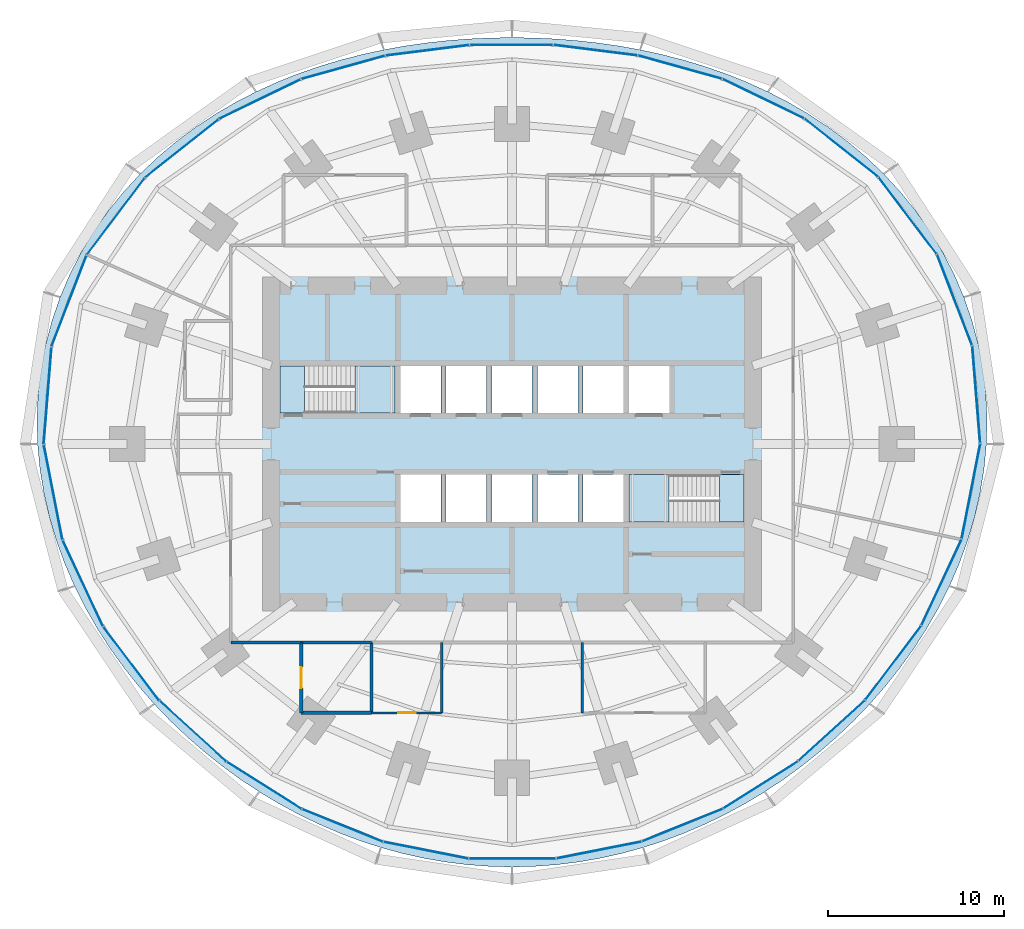
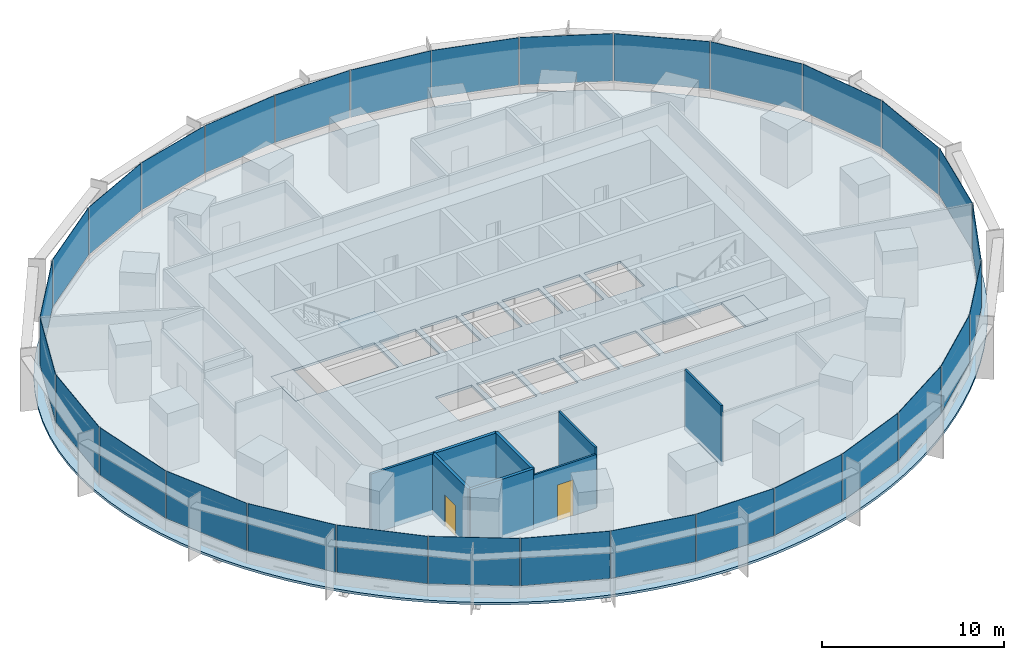
# One storey, part 10 of 15: 30 plates, 8 walls, 5 slabs, 2 doors, 2 openings, 8 elements without a shape of their own.
"""IFC4 building model written with IfcOpenShell, lengths in metres."""

from ifc_helpers import new_model, si_unit, direction, frame, frame_2d, origin, origin_2d, place, context, subcontext, project, spatial, polyline, rectangle, outline, extrude, material, layer, layer_set, type_object, element, fill, aggregate, save


model = new_model("IFC4")

# Units and contexts
model_context = context("Model", 3, precision=1e-05, world=origin(), true_north=direction((0.0, 1.0)))
body_context = subcontext(model_context, "Body", "Model", "MODEL_VIEW")
ifc_project = project(units=[si_unit("LENGTHUNIT", "METRE"), si_unit("AREAUNIT", "SQUARE_METRE"), si_unit("VOLUMEUNIT", "CUBIC_METRE"), si_unit("PLANEANGLEUNIT", "RADIAN"), si_unit("MASSUNIT", "GRAM", prefix="KILO")], contexts=[model_context])

# Site, building, storey
site_placement = place(None, origin())
site = spatial("IfcSite", under=ifc_project, at=site_placement, CompositionType="ELEMENT")
building_placement = place(site_placement, origin())
building = spatial("IfcBuilding", under=site, at=building_placement, Name="Marramba Exchange Tower", CompositionType="ELEMENT")
storey_placement = place(building_placement, frame((0.0, 0.0, 32.199951171875)))
storey = spatial("IfcBuildingStorey", under=building, at=storey_placement, Name="L07", CompositionType="ELEMENT", Elevation=32.199951171875)

# Slab
ifc_material_1 = material(Name="Concrete N40", Category="concrete")
ifc_layer_1 = layer(ifc_material_1, 0.159912109375)
ifc_layer_set_1 = layer_set([ifc_layer_1], Name="Composite floor slab 160")
slab_type_1 = type_object("IfcSlabType", Name="Composite floor slab 160", PredefinedType="FLOOR", material=ifc_layer_set_1)
slab_1_placement = place(storey_placement, frame((0.0, 0.0, -0.159912109375)))
element("IfcSlab", 1, at=slab_1_placement, inside=storey, type_object=slab_type_1, Name="Floor slab L07", PredefinedType="FLOOR", context=body_context, shape_type="SweptSolid", body=[
    extrude(outline(polyline([(27.0, 0.0), (27.035888671875, 1.4169921875), (26.97265625, 2.8349609375), (26.80859375, 4.24609375), (26.5439453125, 5.64208984375), (26.179443359375, 7.0146484375), (25.717529296875, 8.356201171875), (25.16162109375, 9.65869140625), (24.516357421875, 10.915283203125), (23.786865234375, 12.1201171875), (22.9794921875, 13.267333984375), (22.10107421875, 14.3525390625), (21.158447265625, 15.37255859375), (20.159423828125, 16.32470703125), (19.11083984375, 17.20751953125), (18.020263671875, 18.020263671875), (16.89453125, 18.763427734375), (15.740478515625, 19.437744140625), (14.563720703125, 20.04541015625), (13.3701171875, 20.588134765625), (12.164306640625, 21.069091796875), (10.9501953125, 21.4912109375), (9.7314453125, 21.857421875), (8.5107421875, 22.1708984375), (7.289794921875, 22.435302734375), (6.06982421875, 22.6533203125), (4.85205078125, 22.827392578125), (3.636474609375, 22.96044921875), (2.423095703125, 23.053955078125), (1.211181640625, 23.109619140625), (0.0, 23.1279296875), (-1.211181640625, 23.109619140625), (-2.423095703125, 23.053955078125), (-3.636474609375, 22.96044921875), (-4.85205078125, 22.827392578125), (-6.06982421875, 22.6533203125), (-7.289794921875, 22.435302734375), (-8.5107421875, 22.1708984375), (-9.7314453125, 21.857421875), (-10.9501953125, 21.4912109375), (-12.164306640625, 21.069091796875), (-13.3701171875, 20.588134765625), (-14.563720703125, 20.04541015625), (-15.740478515625, 19.437744140625), (-16.89453125, 18.763427734375), (-18.020263671875, 18.020263671875), (-19.11083984375, 17.20751953125), (-20.159423828125, 16.32470703125), (-21.158447265625, 15.37255859375), (-22.10107421875, 14.3525390625), (-22.9794921875, 13.267333984375), (-23.786865234375, 12.1201171875), (-24.516357421875, 10.915283203125), (-25.16162109375, 9.65869140625), (-25.717529296875, 8.356201171875), (-26.179443359375, 7.0146484375), (-26.5439453125, 5.64208984375), (-26.80859375, 4.24609375), (-26.97265625, 2.8349609375), (-27.035888671875, 1.4169921875), (-27.0, 0.0), (-26.8671875, -1.407958984375), (-26.64111328125, -2.800048828125), (-26.326171875, -4.169677734375), (-25.927001953125, -5.510986328125), (-25.44921875, -6.819091796875), (-24.8984375, -8.090087890625), (-24.280517578125, -9.320556640625), (-23.60107421875, -10.5078125), (-22.865234375, -11.650390625), (-22.078369140625, -12.7470703125), (-21.244873046875, -13.796630859375), (-20.36865234375, -14.798583984375), (-19.453369140625, -15.753173828125), (-18.502197265625, -16.659423828125), (-17.517578125, -17.517578125), (-16.501953125, -18.327392578125), (-15.457275390625, -19.088134765625), (-14.385009765625, -19.799072265625), (-13.286865234375, -20.459716796875), (-12.164306640625, -21.069091796875), (-11.01904296875, -21.6259765625), (-9.8525390625, -22.129150390625), (-8.66650390625, -22.577392578125), (-7.463134765625, -22.968994140625), (-6.244140625, -23.30322265625), (-5.01171875, -23.578369140625), (-3.7685546875, -23.793701171875), (-2.51708984375, -23.947998046875), (-1.260009765625, -24.041015625), (0.0, -24.072021484375), (1.260009765625, -24.041015625), (2.51708984375, -23.947998046875), (3.7685546875, -23.793701171875), (5.01171875, -23.578369140625), (6.244140625, -23.30322265625), (7.463134765625, -22.968994140625), (8.66650390625, -22.577392578125), (9.8525390625, -22.129150390625), (11.01904296875, -21.6259765625), (12.164306640625, -21.069091796875), (13.286865234375, -20.459716796875), (14.385009765625, -19.799072265625), (15.457275390625, -19.088134765625), (16.501953125, -18.327392578125), (17.517578125, -17.517578125), (18.502197265625, -16.659423828125), (19.453369140625, -15.753173828125), (20.36865234375, -14.798583984375), (21.244873046875, -13.796630859375), (22.078369140625, -12.7470703125), (22.865234375, -11.650390625), (23.60107421875, -10.5078125), (24.280517578125, -9.320556640625), (24.8984375, -8.090087890625), (25.44921875, -6.819091796875), (25.927001953125, -5.510986328125), (26.326171875, -4.169677734375), (26.64111328125, -2.800048828125), (26.8671875, -1.407958984375), (27.0, 0.0)]), holes=[polyline([(-6.35009765625, 1.75), (-4.050048828125, 1.75), (-4.050048828125, 4.449951171875), (-6.35009765625, 4.449951171875), (-6.35009765625, 1.75)]), polyline([(-3.75, 1.75), (-1.449951171875, 1.75), (-1.449951171875, 4.449951171875), (-3.75, 4.449951171875), (-3.75, 1.75)]), polyline([(-1.14990234375, 1.75), (1.14990234375, 1.75), (1.14990234375, 4.449951171875), (-1.14990234375, 4.449951171875), (-1.14990234375, 1.75)]), polyline([(1.449951171875, 1.75), (3.75, 1.75), (3.75, 4.449951171875), (1.449951171875, 4.449951171875), (1.449951171875, 1.75)]), polyline([(4.050048828125, 1.75), (6.35009765625, 1.75), (6.35009765625, 4.449951171875), (4.050048828125, 4.449951171875), (4.050048828125, 1.75)]), polyline([(-6.35009765625, -4.449951171875), (-4.050048828125, -4.449951171875), (-4.050048828125, -1.75), (-6.35009765625, -1.75), (-6.35009765625, -4.449951171875)]), polyline([(-3.75, -4.449951171875), (-1.449951171875, -4.449951171875), (-1.449951171875, -1.75), (-3.75, -1.75), (-3.75, -4.449951171875)]), polyline([(-1.14990234375, -4.449951171875), (1.14990234375, -4.449951171875), (1.14990234375, -1.75), (-1.14990234375, -1.75), (-1.14990234375, -4.449951171875)]), polyline([(1.449951171875, -4.449951171875), (3.75, -4.449951171875), (3.75, -1.75), (1.449951171875, -1.75), (1.449951171875, -4.449951171875)]), polyline([(4.050048828125, -4.449951171875), (6.35009765625, -4.449951171875), (6.35009765625, -1.75), (4.050048828125, -1.75), (4.050048828125, -4.449951171875)]), polyline([(6.64990234375, 1.75), (8.949951171875, 1.75), (8.949951171875, 4.449951171875), (6.64990234375, 4.449951171875), (6.64990234375, 1.75)]), polyline([(-13.199951171875, 1.75), (-6.64990234375, 1.75), (-6.64990234375, 4.449951171875), (-13.199951171875, 4.449951171875), (-13.199951171875, 1.75)]), polyline([(6.64990234375, -4.449951171875), (13.199951171875, -4.449951171875), (13.199951171875, -1.75), (6.64990234375, -1.75), (6.64990234375, -4.449951171875)])]), origin(), (0.0, 0.0, 1.0), 0.159912109375),
])

# Stair, slabs
ifc_material_2 = material(Name="Concrete N40 (40 MPa)", Category="concrete")
stair_type_1 = type_object("IfcStairType", Name="Exit stair ST1 4200 x 1250", PredefinedType="HALF_TURN_STAIR", material=ifc_material_2)
stair_1_placement = place(storey_placement, origin())
stair_1 = element("IfcStair", 2, at=stair_1_placement, inside=storey, type_object=stair_type_1, Name="Exit stair ST1 L07", PredefinedType="HALF_TURN_STAIR")
ifc_layer_2 = layer(ifc_material_2, 0.199951171875)
ifc_layer_set_2 = layer_set([ifc_layer_2], Name="Stair landing 200")
slab_type_2 = type_object("IfcSlabType", Name="Stair landing 200", PredefinedType="LANDING", material=ifc_layer_set_2)
slab_2_placement = place(storey_placement, frame((0.0, 0.0, -0.199951171875)))
slab_2 = element("IfcSlab", 3, at=slab_2_placement, type_object=slab_type_2, Name="ST1 landing 1", PredefinedType="LANDING", context=body_context, shape_type="SweptSolid", body=[
    extrude(outline(polyline([(-13.199951171875, 1.75), (-11.800048828125, 1.75), (-11.800048828125, 4.449951171875), (-13.199951171875, 4.449951171875), (-13.199951171875, 1.75)])), origin(), (0.0, 0.0, 1.0), 0.199951171875),
])
slab_3_placement = place(storey_placement, frame((0.0, 0.0, 1.900146484375)))
slab_3 = element("IfcSlab", 4, at=slab_3_placement, type_object=slab_type_2, Name="ST1 landing 2", PredefinedType="LANDING", context=body_context, shape_type="SweptSolid", body=[
    extrude(outline(polyline([(-8.93994140625, 1.75), (-6.64990234375, 1.75), (-6.64990234375, 4.449951171875), (-8.93994140625, 4.449951171875), (-8.93994140625, 1.75)])), origin(), (0.0, 0.0, 1.0), 0.199951171875),
])
aggregate(stair_1, [slab_2, slab_3])

stair_type_2 = type_object("IfcStairType", Name="Exit stair ST2 4200 x 1250", PredefinedType="HALF_TURN_STAIR", material=ifc_material_2)
stair_2_placement = place(storey_placement, origin())
stair_2 = element("IfcStair", 5, at=stair_2_placement, inside=storey, type_object=stair_type_2, Name="Exit stair ST2 L07", PredefinedType="HALF_TURN_STAIR")
slab_4_placement = place(storey_placement, frame((0.0, 0.0, -0.199951171875)))
slab_4 = element("IfcSlab", 6, at=slab_4_placement, type_object=slab_type_2, Name="ST2 landing 1", PredefinedType="LANDING", context=body_context, shape_type="SweptSolid", body=[
    extrude(outline(polyline([(11.800048828125, -4.449951171875), (13.199951171875, -4.449951171875), (13.199951171875, -1.75), (11.800048828125, -1.75), (11.800048828125, -4.449951171875)])), origin(), (0.0, 0.0, 1.0), 0.199951171875),
])
slab_5_placement = place(storey_placement, frame((0.0, 0.0, 1.900146484375)))
slab_5 = element("IfcSlab", 7, at=slab_5_placement, type_object=slab_type_2, Name="ST2 landing 2", PredefinedType="LANDING", context=body_context, shape_type="SweptSolid", body=[
    extrude(outline(polyline([(6.64990234375, -4.449951171875), (8.93994140625, -4.449951171875), (8.93994140625, -1.75), (6.64990234375, -1.75), (6.64990234375, -4.449951171875)])), origin(), (0.0, 0.0, 1.0), 0.199951171875),
])
aggregate(stair_2, [slab_4, slab_5])

# Curtain wall, plates
ifc_material_3 = material(Name="Aluminium framing, bronze anodised", Category="aluminium")
curtain_wall_type = type_object("IfcCurtainWallType", Name="Trading floor ribbon curtain wall", PredefinedType="USERDEFINED", material=ifc_material_3)
curtain_wall_1_placement = place(storey_placement, origin())
curtain_wall_1 = element("IfcCurtainWall", 8, at=curtain_wall_1_placement, inside=storey, type_object=curtain_wall_type, Name="Curtain wall CW3 L07 F01-F05", ObjectType="RIBBON CURTAIN WALL", PredefinedType="USERDEFINED")
ifc_material_4 = material(Name="Double glazed unit 10 + 12 + 8.76, bronze tinted", Category="glass")
ifc_layer_3 = layer(ifc_material_4, 0.03076171875)
ifc_layer_set_3 = layer_set([ifc_layer_3], Name="Trading floor ribbon curtain wall panel")
plate_type = type_object("IfcPlateType", Name="Trading floor ribbon curtain wall panel", PredefinedType="CURTAIN_PANEL", material=ifc_layer_set_3)
plate_1_placement = place(storey_placement, frame((26.42333984375, 2.814453125, 0.85986328125), z_axis=(0.0, 0.0, 1.0), x_axis=(-0.080275225953, 0.996772736434, 0.0)))
plate_1 = element("IfcPlate", 9, at=plate_1_placement, type_object=plate_type, Name="CW3 vision panel", PredefinedType="CURTAIN_PANEL", context=body_context, shape_type="SweptSolid", body=[
    extrude(rectangle(XDim=5.52734375, YDim=0.03076171875, at=origin_2d()), origin(), (0.0, 0.0, 1.0), 3.179931640625),
])
plate_2_placement = place(storey_placement, frame((25.188232421875, 8.19921875, 0.85986328125), z_axis=(0.0, 0.0, 1.0), x_axis=(-0.359525510698, 0.933135256626, 0.0)))
plate_2 = element("IfcPlate", 10, at=plate_2_placement, type_object=plate_type, Name="CW3 vision panel", PredefinedType="CURTAIN_PANEL", context=body_context, shape_type="SweptSolid", body=[
    extrude(rectangle(XDim=5.5166015625, YDim=0.03076171875, at=origin_2d()), origin(), (0.0, 0.0, 1.0), 3.179931640625),
])
plate_3_placement = place(storey_placement, frame((22.517822265625, 12.993896484375, 0.85986328125), z_axis=(0.0, 0.0, 1.0), x_axis=(-0.602989765036, 0.797748922445, 0.0)))
plate_3 = element("IfcPlate", 11, at=plate_3_placement, type_object=plate_type, Name="CW3 vision panel", PredefinedType="CURTAIN_PANEL", context=body_context, shape_type="SweptSolid", body=[
    extrude(rectangle(XDim=5.44775390625, YDim=0.03076171875, at=origin_2d()), origin(), (0.0, 0.0, 1.0), 3.179931640625),
])
plate_4_placement = place(storey_placement, frame((18.744384765625, 16.853759765625, 0.85986328125), z_axis=(0.0, 0.0, 1.0), x_axis=(-0.784087949432, 0.620649730166, 0.0)))
plate_4 = element("IfcPlate", 12, at=plate_4_placement, type_object=plate_type, Name="CW3 vision panel", PredefinedType="CURTAIN_PANEL", context=body_context, shape_type="SweptSolid", body=[
    extrude(rectangle(XDim=5.315673828125, YDim=0.03076171875, at=origin_2d()), origin(), (0.0, 0.0, 1.0), 3.179931640625),
])
plate_5_placement = place(storey_placement, frame((14.2978515625, 19.647705078125, 0.85986328125), z_axis=(0.0, 0.0, 1.0), x_axis=(-0.899963433508, 0.43596538664, 0.0)))
plate_5 = element("IfcPlate", 13, at=plate_5_placement, type_object=plate_type, Name="CW3 vision panel", PredefinedType="CURTAIN_PANEL", context=body_context, shape_type="SweptSolid", body=[
    extrude(rectangle(XDim=5.13037109375, YDim=0.03076171875, at=origin_2d()), origin(), (0.0, 0.0, 1.0), 3.179931640625),
])
aggregate(curtain_wall_1, [plate_1, plate_2, plate_3, plate_4, plate_5])

curtain_wall_2_placement = place(storey_placement, origin())
curtain_wall_2 = element("IfcCurtainWall", 14, at=curtain_wall_2_placement, inside=storey, type_object=curtain_wall_type, Name="Curtain wall CW3 L07 F06-F10", ObjectType="RIBBON CURTAIN WALL", PredefinedType="USERDEFINED")
plate_6_placement = place(storey_placement, frame((9.556396484375, 21.4423828125, 0.85986328125), z_axis=(0.0, 0.0, 1.0), x_axis=(-0.963472096649, 0.267808735815, 0.0)))
plate_6 = element("IfcPlate", 15, at=plate_6_placement, type_object=plate_type, Name="CW3 vision panel", PredefinedType="CURTAIN_PANEL", context=body_context, shape_type="SweptSolid", body=[
    extrude(rectangle(XDim=4.929931640625, YDim=0.03076171875, at=origin_2d()), origin(), (0.0, 0.0, 1.0), 3.179931640625),
])
plate_7_placement = place(storey_placement, frame((4.754150390625, 22.407958984375, 0.85986328125), z_axis=(0.0, 0.0, 1.0), x_axis=(-0.992172768738, 0.124872723099, 0.0)))
plate_7 = element("IfcPlate", 16, at=plate_7_placement, type_object=plate_type, Name="CW3 vision panel", PredefinedType="CURTAIN_PANEL", context=body_context, shape_type="SweptSolid", body=[
    extrude(rectangle(XDim=4.77294921875, YDim=0.03076171875, at=origin_2d()), origin(), (0.0, 0.0, 1.0), 3.179931640625),
])
plate_8_placement = place(storey_placement, frame((-0.030029296875, 22.7060546875, 0.85986328125), z_axis=(0.0, 0.0, 1.0), x_axis=(-1.0, 0.0, 0.0)))
plate_8 = element("IfcPlate", 17, at=plate_8_placement, type_object=plate_type, Name="CW3 vision panel", PredefinedType="CURTAIN_PANEL", context=body_context, shape_type="SweptSolid", body=[
    extrude(rectangle(XDim=4.712890625, YDim=0.03076171875, at=origin_2d()), origin(), (0.0, 0.0, 1.0), 3.179931640625),
])
plate_9_placement = place(storey_placement, frame((-4.813720703125, 22.400390625, 0.85986328125), z_axis=(0.0, 0.0, 1.0), x_axis=(-0.992172768738, -0.124872723099, 0.0)))
plate_9 = element("IfcPlate", 18, at=plate_9_placement, type_object=plate_type, Name="CW3 vision panel", PredefinedType="CURTAIN_PANEL", context=body_context, shape_type="SweptSolid", body=[
    extrude(rectangle(XDim=4.77294921875, YDim=0.03076171875, at=origin_2d()), origin(), (0.0, 0.0, 1.0), 3.179931640625),
])
plate_10_placement = place(storey_placement, frame((-9.6142578125, 21.42626953125, 0.85986328125), z_axis=(0.0, 0.0, 1.0), x_axis=(-0.963472096649, -0.267808735815, 0.0)))
plate_10 = element("IfcPlate", 19, at=plate_10_placement, type_object=plate_type, Name="CW3 vision panel", PredefinedType="CURTAIN_PANEL", context=body_context, shape_type="SweptSolid", body=[
    extrude(rectangle(XDim=4.929931640625, YDim=0.03076171875, at=origin_2d()), origin(), (0.0, 0.0, 1.0), 3.179931640625),
])
aggregate(curtain_wall_2, [plate_6, plate_7, plate_8, plate_9, plate_10])

curtain_wall_3_placement = place(storey_placement, origin())
curtain_wall_3 = element("IfcCurtainWall", 20, at=curtain_wall_3_placement, inside=storey, type_object=curtain_wall_type, Name="Curtain wall CW3 L07 F11-F15", ObjectType="RIBBON CURTAIN WALL", PredefinedType="USERDEFINED")
plate_11_placement = place(storey_placement, frame((-14.351806640625, 19.62158203125, 0.85986328125), z_axis=(0.0, 0.0, 1.0), x_axis=(-0.899963433508, -0.43596538664, 0.0)))
plate_11 = element("IfcPlate", 21, at=plate_11_placement, type_object=plate_type, Name="CW3 vision panel", PredefinedType="CURTAIN_PANEL", context=body_context, shape_type="SweptSolid", body=[
    extrude(rectangle(XDim=5.13037109375, YDim=0.03076171875, at=origin_2d()), origin(), (0.0, 0.0, 1.0), 3.179931640625),
])
plate_12_placement = place(storey_placement, frame((-18.79150390625, 16.81640625, 0.85986328125), z_axis=(0.0, 0.0, 1.0), x_axis=(-0.784087949432, -0.620649730166, 0.0)))
plate_12 = element("IfcPlate", 22, at=plate_12_placement, type_object=plate_type, Name="CW3 vision panel", PredefinedType="CURTAIN_PANEL", context=body_context, shape_type="SweptSolid", body=[
    extrude(rectangle(XDim=5.315673828125, YDim=0.03076171875, at=origin_2d()), origin(), (0.0, 0.0, 1.0), 3.179931640625),
])
plate_13_placement = place(storey_placement, frame((-22.553955078125, 12.946044921875, 0.85986328125), z_axis=(0.0, 0.0, 1.0), x_axis=(-0.602989765036, -0.797748922445, 0.0)))
plate_13 = element("IfcPlate", 23, at=plate_13_placement, type_object=plate_type, Name="CW3 vision panel", PredefinedType="CURTAIN_PANEL", context=body_context, shape_type="SweptSolid", body=[
    extrude(rectangle(XDim=5.44775390625, YDim=0.03076171875, at=origin_2d()), origin(), (0.0, 0.0, 1.0), 3.179931640625),
])
plate_14_placement = place(storey_placement, frame((-25.209716796875, 8.14306640625, 0.85986328125), z_axis=(0.0, 0.0, 1.0), x_axis=(-0.359525510698, -0.933135256626, 0.0)))
plate_14 = element("IfcPlate", 24, at=plate_14_placement, type_object=plate_type, Name="CW3 vision panel", PredefinedType="CURTAIN_PANEL", context=body_context, shape_type="SweptSolid", body=[
    extrude(rectangle(XDim=5.5166015625, YDim=0.03076171875, at=origin_2d()), origin(), (0.0, 0.0, 1.0), 3.179931640625),
])
plate_15_placement = place(storey_placement, frame((-26.42822265625, 2.754638671875, 0.85986328125), z_axis=(0.0, 0.0, 1.0), x_axis=(-0.080275225953, -0.996772736434, 0.0)))
plate_15 = element("IfcPlate", 25, at=plate_15_placement, type_object=plate_type, Name="CW3 vision panel", PredefinedType="CURTAIN_PANEL", context=body_context, shape_type="SweptSolid", body=[
    extrude(rectangle(XDim=5.52734375, YDim=0.03076171875, at=origin_2d()), origin(), (0.0, 0.0, 1.0), 3.179931640625),
])
aggregate(curtain_wall_3, [plate_11, plate_12, plate_13, plate_14, plate_15])

curtain_wall_4_placement = place(storey_placement, origin())
curtain_wall_4 = element("IfcCurtainWall", 26, at=curtain_wall_4_placement, inside=storey, type_object=curtain_wall_type, Name="Curtain wall CW3 L07 F16-F20", ObjectType="RIBBON CURTAIN WALL", PredefinedType="USERDEFINED")
plate_16_placement = place(storey_placement, frame((-26.111572265625, -2.74853515625, 0.85986328125), z_axis=(0.0, 0.0, 1.0), x_axis=(0.1922485756, -0.981346261612, 0.0)))
plate_16 = element("IfcPlate", 27, at=plate_16_placement, type_object=plate_type, Name="CW3 vision panel", PredefinedType="CURTAIN_PANEL", context=body_context, shape_type="SweptSolid", body=[
    extrude(rectangle(XDim=5.4814453125, YDim=0.03076171875, at=origin_2d()), origin(), (0.0, 0.0, 1.0), 3.179931640625),
])
plate_17_placement = place(storey_placement, frame((-24.420166015625, -7.928955078125, 0.85986328125), z_axis=(0.0, 0.0, 1.0), x_axis=(0.423477206492, -0.905906758768, 0.0)))
plate_17 = element("IfcPlate", 28, at=plate_17_placement, type_object=plate_type, Name="CW3 vision panel", PredefinedType="CURTAIN_PANEL", context=body_context, shape_type="SweptSolid", body=[
    extrude(rectangle(XDim=5.379150390625, YDim=0.03076171875, at=origin_2d()), origin(), (0.0, 0.0, 1.0), 3.179931640625),
])
plate_18_placement = place(storey_placement, frame((-21.665283203125, -12.503173828125, 0.85986328125), z_axis=(0.0, 0.0, 1.0), x_axis=(0.603040473588, -0.797710591138, 0.0)))
plate_18 = element("IfcPlate", 29, at=plate_18_placement, type_object=plate_type, Name="CW3 vision panel", PredefinedType="CURTAIN_PANEL", context=body_context, shape_type="SweptSolid", body=[
    extrude(rectangle(XDim=5.239501953125, YDim=0.03076171875, at=origin_2d()), origin(), (0.0, 0.0, 1.0), 3.179931640625),
])
plate_19_placement = place(storey_placement, frame((-18.154541015625, -16.350341796875, 0.85986328125), z_axis=(0.0, 0.0, 1.0), x_axis=(0.739589581463, -0.673058133441, 0.0)))
plate_19 = element("IfcPlate", 30, at=plate_19_placement, type_object=plate_type, Name="CW3 vision panel", PredefinedType="CURTAIN_PANEL", context=body_context, shape_type="SweptSolid", body=[
    extrude(rectangle(XDim=5.101806640625, YDim=0.03076171875, at=origin_2d()), origin(), (0.0, 0.0, 1.0), 3.179931640625),
])
plate_20_placement = place(storey_placement, frame((-14.103271484375, -19.4326171875, 0.85986328125), z_axis=(0.0, 0.0, 1.0), x_axis=(0.845790826298, -0.533514646612, 0.0)))
plate_20 = element("IfcPlate", 31, at=plate_20_placement, type_object=plate_type, Name="CW3 vision panel", PredefinedType="CURTAIN_PANEL", context=body_context, shape_type="SweptSolid", body=[
    extrude(rectangle(XDim=4.99853515625, YDim=0.03076171875, at=origin_2d()), origin(), (0.0, 0.0, 1.0), 3.179931640625),
])
aggregate(curtain_wall_4, [plate_16, plate_17, plate_18, plate_19, plate_20])

curtain_wall_5_placement = place(storey_placement, origin())
curtain_wall_5 = element("IfcCurtainWall", 32, at=curtain_wall_5_placement, inside=storey, type_object=curtain_wall_type, Name="Curtain wall CW3 L07 F21-F25", ObjectType="RIBBON CURTAIN WALL", PredefinedType="USERDEFINED")
plate_21_placement = place(storey_placement, frame((-9.644287109375, -21.71240234375, 0.85986328125), z_axis=(0.0, 0.0, 1.0), x_axis=(0.927340673283, -0.374218219325, 0.0)))
plate_21 = element("IfcPlate", 33, at=plate_21_placement, type_object=plate_type, Name="CW3 vision panel", PredefinedType="CURTAIN_PANEL", context=body_context, shape_type="SweptSolid", body=[
    extrude(rectangle(XDim=4.9375, YDim=0.03076171875, at=origin_2d()), origin(), (0.0, 0.0, 1.0), 3.179931640625),
])
plate_22_placement = place(storey_placement, frame((-4.88818359375, -23.1240234375, 0.85986328125), z_axis=(0.0, 0.0, 1.0), x_axis=(0.98100920064, -0.193961202977, 0.0)))
plate_22 = element("IfcPlate", 34, at=plate_22_placement, type_object=plate_type, Name="CW3 vision panel", PredefinedType="CURTAIN_PANEL", context=body_context, shape_type="SweptSolid", body=[
    extrude(rectangle(XDim=4.908935546875, YDim=0.03076171875, at=origin_2d()), origin(), (0.0, 0.0, 1.0), 3.179931640625),
])
plate_23_placement = place(storey_placement, frame((0.030029296875, -23.599853515625, 0.85986328125), z_axis=(0.0, 0.0, 1.0), x_axis=(1.0, 0.0, 0.0)))
plate_23 = element("IfcPlate", 35, at=plate_23_placement, type_object=plate_type, Name="CW3 vision panel", PredefinedType="CURTAIN_PANEL", context=body_context, shape_type="SweptSolid", body=[
    extrude(rectangle(XDim=4.90087890625, YDim=0.03076171875, at=origin_2d()), origin(), (0.0, 0.0, 1.0), 3.179931640625),
])
plate_24_placement = place(storey_placement, frame((4.947021484375, -23.1123046875, 0.85986328125), z_axis=(0.0, 0.0, 1.0), x_axis=(0.98100920064, 0.193961202977, 0.0)))
plate_24 = element("IfcPlate", 36, at=plate_24_placement, type_object=plate_type, Name="CW3 vision panel", PredefinedType="CURTAIN_PANEL", context=body_context, shape_type="SweptSolid", body=[
    extrude(rectangle(XDim=4.908935546875, YDim=0.03076171875, at=origin_2d()), origin(), (0.0, 0.0, 1.0), 3.179931640625),
])
plate_25_placement = place(storey_placement, frame((9.699951171875, -21.68994140625, 0.85986328125), z_axis=(0.0, 0.0, 1.0), x_axis=(0.927340673283, 0.374218219325, 0.0)))
plate_25 = element("IfcPlate", 37, at=plate_25_placement, type_object=plate_type, Name="CW3 vision panel", PredefinedType="CURTAIN_PANEL", context=body_context, shape_type="SweptSolid", body=[
    extrude(rectangle(XDim=4.9375, YDim=0.03076171875, at=origin_2d()), origin(), (0.0, 0.0, 1.0), 3.179931640625),
])
aggregate(curtain_wall_5, [plate_21, plate_22, plate_23, plate_24, plate_25])

curtain_wall_6_placement = place(storey_placement, origin())
curtain_wall_6 = element("IfcCurtainWall", 38, at=curtain_wall_6_placement, inside=storey, type_object=curtain_wall_type, Name="Curtain wall CW3 L07 F26-F30", ObjectType="RIBBON CURTAIN WALL", PredefinedType="USERDEFINED")
plate_26_placement = place(storey_placement, frame((14.15380859375, -19.400634765625, 0.85986328125), z_axis=(0.0, 0.0, 1.0), x_axis=(0.845790826298, 0.533514646612, 0.0)))
plate_26 = element("IfcPlate", 39, at=plate_26_placement, type_object=plate_type, Name="CW3 vision panel", PredefinedType="CURTAIN_PANEL", context=body_context, shape_type="SweptSolid", body=[
    extrude(rectangle(XDim=4.99853515625, YDim=0.03076171875, at=origin_2d()), origin(), (0.0, 0.0, 1.0), 3.179931640625),
])
plate_27_placement = place(storey_placement, frame((18.19873046875, -16.309814453125, 0.85986328125), z_axis=(0.0, 0.0, 1.0), x_axis=(0.739589581463, 0.673058133441, 0.0)))
plate_27 = element("IfcPlate", 40, at=plate_27_placement, type_object=plate_type, Name="CW3 vision panel", PredefinedType="CURTAIN_PANEL", context=body_context, shape_type="SweptSolid", body=[
    extrude(rectangle(XDim=5.101806640625, YDim=0.03076171875, at=origin_2d()), origin(), (0.0, 0.0, 1.0), 3.179931640625),
])
plate_28_placement = place(storey_placement, frame((21.701416015625, -12.455322265625, 0.85986328125), z_axis=(0.0, 0.0, 1.0), x_axis=(0.603040473588, 0.797710591138, 0.0)))
plate_28 = element("IfcPlate", 41, at=plate_28_placement, type_object=plate_type, Name="CW3 vision panel", PredefinedType="CURTAIN_PANEL", context=body_context, shape_type="SweptSolid", body=[
    extrude(rectangle(XDim=5.239501953125, YDim=0.03076171875, at=origin_2d()), origin(), (0.0, 0.0, 1.0), 3.179931640625),
])
plate_29_placement = place(storey_placement, frame((24.44580078125, -7.874755859375, 0.85986328125), z_axis=(0.0, 0.0, 1.0), x_axis=(0.423477206492, 0.905906758768, 0.0)))
plate_29 = element("IfcPlate", 42, at=plate_29_placement, type_object=plate_type, Name="CW3 vision panel", PredefinedType="CURTAIN_PANEL", context=body_context, shape_type="SweptSolid", body=[
    extrude(rectangle(XDim=5.379150390625, YDim=0.03076171875, at=origin_2d()), origin(), (0.0, 0.0, 1.0), 3.179931640625),
])
plate_30_placement = place(storey_placement, frame((26.123046875, -2.689697265625, 0.85986328125), z_axis=(0.0, 0.0, 1.0), x_axis=(0.1922485756, 0.981346261612, 0.0)))
plate_30 = element("IfcPlate", 43, at=plate_30_placement, type_object=plate_type, Name="CW3 vision panel", PredefinedType="CURTAIN_PANEL", context=body_context, shape_type="SweptSolid", body=[
    extrude(rectangle(XDim=5.4814453125, YDim=0.03076171875, at=origin_2d()), origin(), (0.0, 0.0, 1.0), 3.179931640625),
])
aggregate(curtain_wall_6, [plate_26, plate_27, plate_28, plate_29, plate_30])

# Wall, opening, door
ifc_material_5 = material(Name="Core-filled concrete blockwork, rendered", Category="masonry")
ifc_layer_4 = layer(ifc_material_5, 0.18994140625)
ifc_layer_set_4 = layer_set([ifc_layer_4], Name="Equipment room wall 190")
wall_type_1 = type_object("IfcWallType", Name="Equipment room wall 190", PredefinedType="SOLIDWALL", material=ifc_layer_set_4)
wall_1_placement = place(storey_placement, frame((-12.0, -11.300048828125, 0.0), z_axis=(0.0, 0.0, 1.0), x_axis=(0.0, -1.0, 0.0)))
wall_1 = element("IfcWall", 44, at=wall_1_placement, inside=storey, type_object=wall_type_1, Name="Equipment room wall L07 04", PredefinedType="SOLIDWALL", context=body_context, shape_type="SweptSolid", body=[
    extrude(rectangle(XDim=4.0, YDim=0.18994140625, at=frame_2d((2.0, 0.0))), origin(), (0.0, 0.0, 1.0), 4.0400390625),
])
opening_1_placement = place(wall_1_placement, frame((1.39990234375, 0.0, 0.0)))
opening_1 = element("IfcOpeningElement", 45, at=opening_1_placement, cuts=wall_1, Name="Opening D16", PredefinedType="OPENING", context=body_context, shape_type="SweptSolid", body=[
    extrude(rectangle(XDim=1.199951171875, YDim=2.10009765625, at=frame_2d((0.60009765625, 1.050048828125))), frame((0.0, 0.10498046875, 0.0), z_axis=(0.0, -1.0, 0.0), x_axis=(1.0, 0.0, 0.0)), (0.0, 0.0, 1.0), 0.2099609375),
])
ifc_material_6 = material(Name="Steel-framed door", Category="steel")
door_type_1 = type_object("IfcDoorType", Name="Equipment room door 1200x2100", OperationType="SINGLE_SWING_LEFT", PredefinedType="DOOR", material=ifc_material_6)
door_1_placement = place(opening_1_placement, origin())
door_1 = element("IfcDoor", 46, at=door_1_placement, inside=storey, type_object=door_type_1, Name="D16 Data Room 2 L07", OperationType="SINGLE_SWING_RIGHT", OverallHeight=2.10009765625, OverallWidth=1.199951171875, PredefinedType="DOOR", context=body_context, shape_type="SweptSolid", body=[
    extrude(rectangle(XDim=1.199951171875, YDim=2.10009765625, at=frame_2d((0.60009765625, 1.050048828125))), frame((0.0, 0.02490234375, 0.0), z_axis=(0.0, -1.0, 0.0), x_axis=(1.0, 0.0, 0.0)), (0.0, 0.0, 1.0), 0.050048828125),
])
fill(opening_1, door_1)

# Walls
for number, where, z_axis, x_axis, name in (
    (47, (-8.0, -11.300048828125, 0.0), (0.0, 0.0, 1.0), (-1.0, 0.0, 0.0), "Equipment room wall L07 05"),
    (48, (-12.0, -15.300048828125, 0.0), (0.0, 0.0, 1.0), (1.0, 0.0, 0.0), "Equipment room wall L07 06"),
    (49, (-8.0, -11.300048828125, 0.0), (0.0, 0.0, 1.0), (0.0, -1.0, 0.0), "Equipment room wall L07 07"),
):
    element("IfcWall", number, at=place(storey_placement, frame(where, z_axis=z_axis, x_axis=x_axis)), inside=storey, type_object=wall_type_1, Name=name, PredefinedType="SOLIDWALL", context=body_context, shape_type="SweptSolid", body=[
        extrude(rectangle(XDim=4.0, YDim=0.18994140625, at=frame_2d((2.0, 0.0))), origin(), (0.0, 0.0, 1.0), 4.0400390625),
    ])

# Wall, opening, door
ifc_material_7 = material(Name="Plasterboard on steel studs", Category="steel")
ifc_layer_5 = layer(ifc_material_7, 0.1201171875)
ifc_layer_set_5 = layer_set([ifc_layer_5], Name="Partition 120")
wall_type_2 = type_object("IfcWallType", Name="Partition 120", PredefinedType="PARTITIONING", material=ifc_layer_set_5)
wall_2_placement = place(storey_placement, frame((-8.0, -15.300048828125, 0.0), z_axis=(0.0, 0.0, 1.0), x_axis=(1.0, 0.0, 0.0)))
wall_2 = element("IfcWall", 50, at=wall_2_placement, inside=storey, type_object=wall_type_2, Name="Partition L07 08", PredefinedType="PARTITIONING", context=body_context, shape_type="SweptSolid", body=[
    extrude(rectangle(XDim=4.0, YDim=0.1201171875, at=frame_2d((2.0, 0.0))), origin(), (0.0, 0.0, 1.0), 3.5859375),
])
opening_2_placement = place(wall_2_placement, frame((1.52587890625, 0.0, 0.0)))
opening_2 = element("IfcOpeningElement", 51, at=opening_2_placement, cuts=wall_2, Name="Opening D9", PredefinedType="OPENING", context=body_context, shape_type="SweptSolid", body=[
    extrude(rectangle(XDim=1.0, YDim=2.39990234375, at=frame_2d((0.5, 1.199951171875))), frame((0.0, 0.070068359375, 0.0), z_axis=(0.0, -1.0, 0.0), x_axis=(1.0, 0.0, 0.0)), (0.0, 0.0, 1.0), 0.14013671875),
])
ifc_material_8 = material(Name="Timber door", Category="wood")
door_type_2 = type_object("IfcDoorType", Name="Room door 1000x2400", OperationType="SINGLE_SWING_LEFT", PredefinedType="DOOR", material=ifc_material_8)
door_2_placement = place(opening_2_placement, origin())
door_2 = element("IfcDoor", 52, at=door_2_placement, inside=storey, type_object=door_type_2, Name="D9 Print Room L07", OperationType="SINGLE_SWING_RIGHT", OverallHeight=2.39990234375, OverallWidth=1.0, PredefinedType="DOOR", context=body_context, shape_type="SweptSolid", body=[
    extrude(rectangle(XDim=1.0, YDim=2.39990234375, at=frame_2d((0.5, 1.199951171875))), frame((0.0, 0.02490234375, 0.0), z_axis=(0.0, -1.0, 0.0), x_axis=(1.0, 0.0, 0.0)), (0.0, 0.0, 1.0), 0.050048828125),
])
fill(opening_2, door_2)

# Walls
for number, where, z_axis, x_axis, name in (
    (53, (-4.0, -15.300048828125, 0.0), (0.0, 0.0, 1.0), (0.0, 1.0, 0.0), "Partition L07 09"),
    (54, (4.0, -11.300048828125, 0.0), (0.0, 0.0, 1.0), (0.0, -1.0, 0.0), "Partition L07 10"),
):
    element("IfcWall", number, at=place(storey_placement, frame(where, z_axis=z_axis, x_axis=x_axis)), inside=storey, type_object=wall_type_2, Name=name, PredefinedType="PARTITIONING", context=body_context, shape_type="SweptSolid", body=[
        extrude(rectangle(XDim=4.0, YDim=0.1201171875, at=frame_2d((2.0, 0.0))), origin(), (0.0, 0.0, 1.0), 4.0400390625),
    ])
ifc_material_9 = material(Name="Fire-rated plasterboard on steel studs, acoustic insulation", Category="steel")
ifc_layer_6 = layer(ifc_material_9, 0.14990234375)
ifc_layer_set_6 = layer_set([ifc_layer_6], Name="Tenancy wall 150")
wall_type_3 = type_object("IfcWallType", Name="Tenancy wall 150", PredefinedType="PARTITIONING", material=ifc_layer_set_6)
wall_3_placement = place(storey_placement, frame((-16.0, -11.300048828125, 0.0), z_axis=(0.0, 0.0, 1.0), x_axis=(1.0, 0.0, 0.0)))
element("IfcWall", 55, at=wall_3_placement, inside=storey, type_object=wall_type_3, Name="Tenancy wall L07 03", PredefinedType="PARTITIONING", context=body_context, shape_type="SweptSolid", body=[
    extrude(rectangle(XDim=4.0, YDim=0.14990234375, at=frame_2d((2.0, 0.0))), origin(), (0.0, 0.0, 1.0), 4.0400390625),
])

save(model, "model.ifc")
